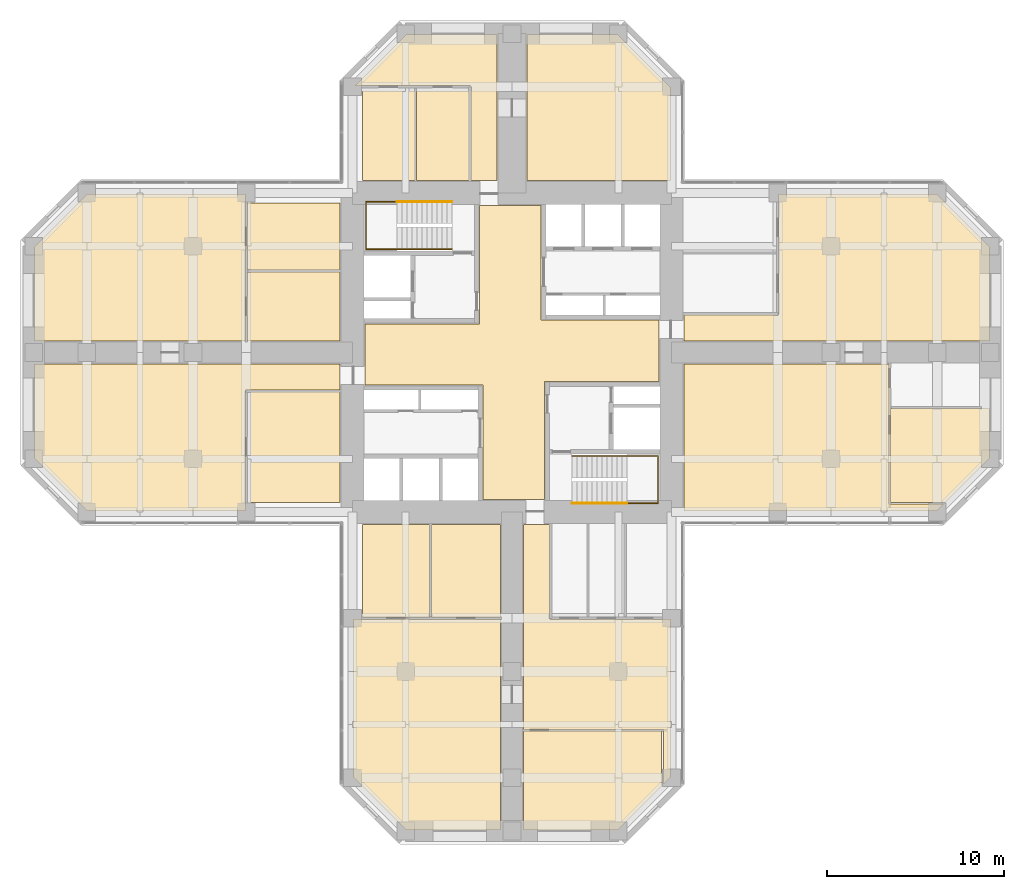
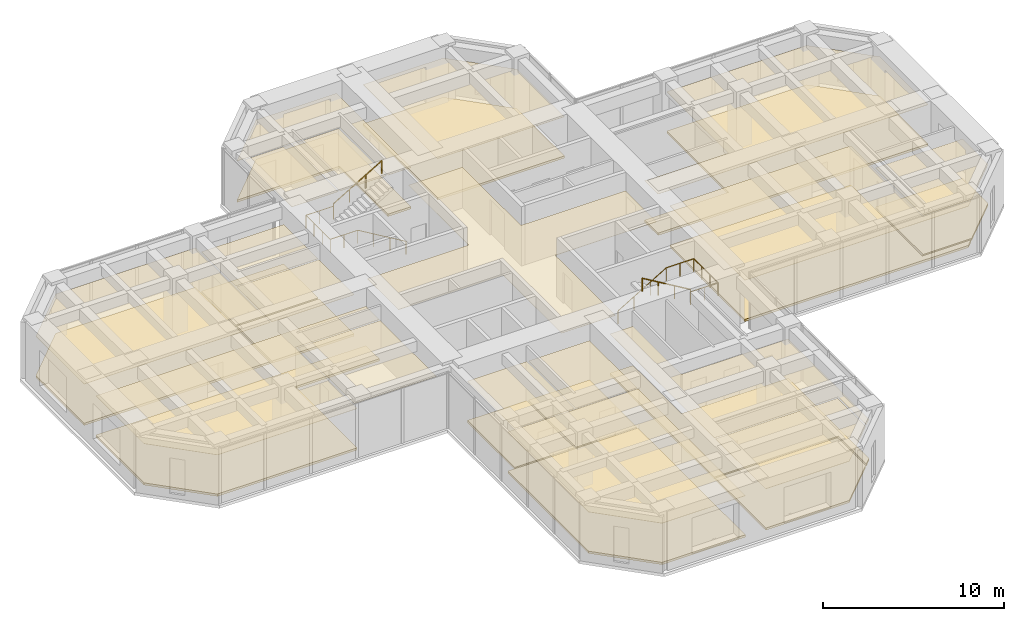
# One storey, part 12 of 12: 32 coverings, 4 railings.
"""IFC4 building model written with IfcOpenShell, lengths in metres."""

from ifc_helpers import new_model, si_unit, direction, frame, origin, origin_2d, place, context, subcontext, project, spatial, polyline, circle, outline, extrude, material, layer, layer_set, constituent, constituent_set, type_object, element, save


model = new_model("IFC4")

# Units and contexts
model_context = context("Model", 3, precision=1e-05, world=origin(), true_north=direction((0.0, 1.0)))
body_context = subcontext(model_context, "Body", "Model", "MODEL_VIEW")
ifc_project = project(units=[si_unit("LENGTHUNIT", "METRE"), si_unit("AREAUNIT", "SQUARE_METRE"), si_unit("VOLUMEUNIT", "CUBIC_METRE"), si_unit("PLANEANGLEUNIT", "RADIAN"), si_unit("MASSUNIT", "GRAM", prefix="KILO")], contexts=[model_context])

# Site, building, storey
site_placement = place(None, origin())
site = spatial("IfcSite", under=ifc_project, at=site_placement, CompositionType="ELEMENT")
building_placement = place(site_placement, origin())
building = spatial("IfcBuilding", under=site, at=building_placement, Name="Torre Cruceta", CompositionType="ELEMENT")
storey_placement = place(building_placement, frame((0.0, 0.0, 116.5)))
storey = spatial("IfcBuildingStorey", under=building, at=storey_placement, Name="L28", CompositionType="ELEMENT", Elevation=116.5)

# Railings
ifc_material_1 = material(Name="Stainless steel 1.4401", Category="steel")
railing_type = type_object("IfcRailingType", Name="HANDRAIL 900", PredefinedType="HANDRAIL", material=ifc_material_1)
railing_1_placement = place(storey_placement, frame((-3.39990234375, 5.8349609375, 0.166748046875)))
element("IfcRailing", 1, at=railing_1_placement, inside=storey, type_object=railing_type, Name="Handrail HR1 ST1 L28", PredefinedType="HANDRAIL", context=body_context, shape_type="SweptSolid", body=[
    extrude(circle(Radius=0.02392578125, at=origin_2d()), frame((0.0, 0.0, 0.8759765625), z_axis=(-0.859308565015, 0.0, 0.511457515432), x_axis=(0.0, -1.0, 0.0)), (0.0, 0.0, 1.0), 3.58447265625),
    extrude(circle(Radius=0.02392578125, at=origin_2d()), frame((-3.080078125, 0.0, 2.708984375), z_axis=(-1.0, 0.0, 0.0), x_axis=(0.0, -1.0, 0.0)), (0.0, 0.0, 1.0), 1.760009765625),
    extrude(circle(Radius=0.02392578125, at=origin_2d()), frame((-4.840087890625, 0.0, 2.708984375), z_axis=(0.0, 1.0, 0.0), x_axis=(-1.0, 0.0, 0.0)), (0.0, 0.0, 1.0), 2.679931640625),
    extrude(circle(Radius=0.02392578125, at=origin_2d()), frame((-4.840087890625, 2.679931640625, 2.708984375), z_axis=(1.0, 0.0, 0.0), x_axis=(0.0, 1.0, 0.0)), (0.0, 0.0, 1.0), 1.760009765625),
    extrude(circle(Radius=0.02099609375, at=origin_2d()), origin(), (0.0, 0.0, 1.0), 0.851806640625),
    extrude(circle(Radius=0.02099609375, at=origin_2d()), frame((-1.026611328125, 0.0, 0.611083984375)), (0.0, 0.0, 1.0), 0.851806640625),
    extrude(circle(Radius=0.02099609375, at=origin_2d()), frame((-2.053466796875, 0.0, 1.22216796875)), (0.0, 0.0, 1.0), 0.851806640625),
    extrude(circle(Radius=0.02099609375, at=origin_2d()), frame((-3.080078125, 0.0, 1.833251953125)), (0.0, 0.0, 1.0), 0.851806640625),
    extrude(circle(Radius=0.02099609375, at=origin_2d()), frame((-3.9599609375, 0.0, 1.833251953125)), (0.0, 0.0, 1.0), 0.851806640625),
    extrude(circle(Radius=0.02099609375, at=origin_2d()), frame((-4.840087890625, 0.0, 1.833251953125)), (0.0, 0.0, 1.0), 0.851806640625),
    extrude(circle(Radius=0.02099609375, at=origin_2d()), frame((-4.840087890625, 0.893310546875, 1.833251953125)), (0.0, 0.0, 1.0), 0.851806640625),
    extrude(circle(Radius=0.02099609375, at=origin_2d()), frame((-4.840087890625, 1.78662109375, 1.833251953125)), (0.0, 0.0, 1.0), 0.851806640625),
    extrude(circle(Radius=0.02099609375, at=origin_2d()), frame((-4.840087890625, 2.679931640625, 1.833251953125)), (0.0, 0.0, 1.0), 0.851806640625),
    extrude(circle(Radius=0.02099609375, at=origin_2d()), frame((-3.9599609375, 2.679931640625, 1.833251953125)), (0.0, 0.0, 1.0), 0.851806640625),
    extrude(circle(Radius=0.02099609375, at=origin_2d()), frame((-3.080078125, 2.679931640625, 1.833251953125)), (0.0, 0.0, 1.0), 0.851806640625),
])
railing_2_placement = place(storey_placement, frame((-6.47998046875, 8.514892578125, 2.166748046875)))
element("IfcRailing", 2, at=railing_2_placement, inside=storey, type_object=railing_type, Name="Handrail HR1 ST1 L28", PredefinedType="HANDRAIL", context=body_context, shape_type="SweptSolid", body=[
    extrude(circle(Radius=0.02392578125, at=origin_2d()), frame((0.0, 0.0, 0.8759765625), z_axis=(0.859308565015, 0.0, 0.511457515432), x_axis=(0.0, 1.0, 0.0)), (0.0, 0.0, 1.0), 3.58447265625),
    extrude(circle(Radius=0.02099609375, at=origin_2d()), origin(), (0.0, 0.0, 1.0), 0.851806640625),
    extrude(circle(Radius=0.02099609375, at=origin_2d()), frame((1.026611328125, 0.0, 0.611083984375)), (0.0, 0.0, 1.0), 0.851806640625),
    extrude(circle(Radius=0.02099609375, at=origin_2d()), frame((2.053466796875, 0.0, 1.22216796875)), (0.0, 0.0, 1.0), 0.851806640625),
    extrude(circle(Radius=0.02099609375, at=origin_2d()), frame((3.080078125, 0.0, 1.833251953125)), (0.0, 0.0, 1.0), 0.851806640625),
])
railing_3_placement = place(storey_placement, frame((3.39990234375, -5.8349609375, 0.166748046875)))
element("IfcRailing", 3, at=railing_3_placement, inside=storey, type_object=railing_type, Name="Handrail HR1 ST2 L28", PredefinedType="HANDRAIL", context=body_context, shape_type="SweptSolid", body=[
    extrude(circle(Radius=0.02392578125, at=origin_2d()), frame((0.0, 0.0, 0.8759765625), z_axis=(0.859308565015, 0.0, 0.511457515432), x_axis=(0.0, 1.0, 0.0)), (0.0, 0.0, 1.0), 3.58447265625),
    extrude(circle(Radius=0.02392578125, at=origin_2d()), frame((3.080078125, 0.0, 2.708984375), z_axis=(1.0, 0.0, 0.0), x_axis=(0.0, 1.0, 0.0)), (0.0, 0.0, 1.0), 1.760009765625),
    extrude(circle(Radius=0.02392578125, at=origin_2d()), frame((4.840087890625, 0.0, 2.708984375), z_axis=(0.0, -1.0, 0.0), x_axis=(1.0, 0.0, 0.0)), (0.0, 0.0, 1.0), 2.679931640625),
    extrude(circle(Radius=0.02392578125, at=origin_2d()), frame((4.840087890625, -2.679931640625, 2.708984375), z_axis=(-1.0, 0.0, 0.0), x_axis=(0.0, -1.0, 0.0)), (0.0, 0.0, 1.0), 1.760009765625),
    extrude(circle(Radius=0.02099609375, at=origin_2d()), origin(), (0.0, 0.0, 1.0), 0.851806640625),
    extrude(circle(Radius=0.02099609375, at=origin_2d()), frame((1.026611328125, 0.0, 0.611083984375)), (0.0, 0.0, 1.0), 0.851806640625),
    extrude(circle(Radius=0.02099609375, at=origin_2d()), frame((2.053466796875, 0.0, 1.22216796875)), (0.0, 0.0, 1.0), 0.851806640625),
    extrude(circle(Radius=0.02099609375, at=origin_2d()), frame((3.080078125, 0.0, 1.833251953125)), (0.0, 0.0, 1.0), 0.851806640625),
    extrude(circle(Radius=0.02099609375, at=origin_2d()), frame((3.9599609375, 0.0, 1.833251953125)), (0.0, 0.0, 1.0), 0.851806640625),
    extrude(circle(Radius=0.02099609375, at=origin_2d()), frame((4.840087890625, 0.0, 1.833251953125)), (0.0, 0.0, 1.0), 0.851806640625),
    extrude(circle(Radius=0.02099609375, at=origin_2d()), frame((4.840087890625, -0.893310546875, 1.833251953125)), (0.0, 0.0, 1.0), 0.851806640625),
    extrude(circle(Radius=0.02099609375, at=origin_2d()), frame((4.840087890625, -1.78662109375, 1.833251953125)), (0.0, 0.0, 1.0), 0.851806640625),
    extrude(circle(Radius=0.02099609375, at=origin_2d()), frame((4.840087890625, -2.679931640625, 1.833251953125)), (0.0, 0.0, 1.0), 0.851806640625),
    extrude(circle(Radius=0.02099609375, at=origin_2d()), frame((3.9599609375, -2.679931640625, 1.833251953125)), (0.0, 0.0, 1.0), 0.851806640625),
    extrude(circle(Radius=0.02099609375, at=origin_2d()), frame((3.080078125, -2.679931640625, 1.833251953125)), (0.0, 0.0, 1.0), 0.851806640625),
])
railing_4_placement = place(storey_placement, frame((6.47998046875, -8.514892578125, 2.166748046875)))
element("IfcRailing", 4, at=railing_4_placement, inside=storey, type_object=railing_type, Name="Handrail HR1 ST2 L28", PredefinedType="HANDRAIL", context=body_context, shape_type="SweptSolid", body=[
    extrude(circle(Radius=0.02392578125, at=origin_2d()), frame((0.0, 0.0, 0.8759765625), z_axis=(-0.859308565015, 0.0, 0.511457515432), x_axis=(0.0, -1.0, 0.0)), (0.0, 0.0, 1.0), 3.58447265625),
    extrude(circle(Radius=0.02099609375, at=origin_2d()), origin(), (0.0, 0.0, 1.0), 0.851806640625),
    extrude(circle(Radius=0.02099609375, at=origin_2d()), frame((-1.026611328125, 0.0, 0.611083984375)), (0.0, 0.0, 1.0), 0.851806640625),
    extrude(circle(Radius=0.02099609375, at=origin_2d()), frame((-2.053466796875, 0.0, 1.22216796875)), (0.0, 0.0, 1.0), 0.851806640625),
    extrude(circle(Radius=0.02099609375, at=origin_2d()), frame((-3.080078125, 0.0, 1.833251953125)), (0.0, 0.0, 1.0), 0.851806640625),
])

# Coverings
ifc_material_2 = material(Name="Steel DX51D", Category="steel")
ifc_constituent_1 = constituent(ifc_material_2, Name="Panel casing")
ifc_material_3 = material(Name="Calcium sulphate", Category="gypsum")
ifc_constituent_2 = constituent(ifc_material_3, Name="Panel core")
ifc_constituent_set = constituent_set(constituents=[ifc_constituent_1, ifc_constituent_2], Name="Raised access floor panel")
covering_type_1 = type_object("IfcCoveringType", Name="RAISED ACCESS FLOOR 150", PredefinedType="FLOORING", material=ifc_constituent_set)
covering_1_placement = place(storey_placement, origin())
element("IfcCovering", 5, at=covering_1_placement, inside=storey, type_object=covering_type_1, Name="Raised floor L28-024", PredefinedType="FLOORING", context=body_context, shape_type="SweptSolid", body=[
    extrude(outline(polyline([(-0.85009765625, 17.949951171875), (-0.85009765625, 9.699951171875), (-2.324951171875, 9.699951171875), (-2.324951171875, 15.050048828125), (-8.87939453125, 15.050048828125), (-5.979248046875, 17.949951171875), (-0.85009765625, 17.949951171875)])), origin(), (0.0, 0.0, 1.0), 0.14990234375),
])
covering_2_placement = place(storey_placement, origin())
element("IfcCovering", 6, at=covering_2_placement, inside=storey, type_object=covering_type_1, Name="Raised floor L28-025", PredefinedType="FLOORING", context=body_context, shape_type="SweptSolid", body=[
    extrude(outline(polyline([(5.979248046875, 17.949951171875), (8.949951171875, 14.979248046875), (8.949951171875, 9.699951171875), (0.85009765625, 9.699951171875), (0.85009765625, 17.949951171875), (5.979248046875, 17.949951171875)])), origin(), (0.0, 0.0, 1.0), 0.14990234375),
])
covering_3_placement = place(storey_placement, origin())
element("IfcCovering", 7, at=covering_3_placement, inside=storey, type_object=covering_type_1, Name="Raised floor L28-029", PredefinedType="FLOORING", context=body_context, shape_type="SweptSolid", body=[
    extrude(outline(polyline([(24.479248046875, -8.449951171875), (21.3701171875, -8.449951171875), (21.3701171875, -3.16796875), (26.949951171875, -3.16796875), (26.949951171875, -5.979248046875), (24.479248046875, -8.449951171875)])), origin(), (0.0, 0.0, 1.0), 0.14990234375),
])
covering_4_placement = place(storey_placement, origin())
element("IfcCovering", 8, at=covering_4_placement, inside=storey, type_object=covering_type_1, Name="Raised floor L28-030", PredefinedType="FLOORING", context=body_context, shape_type="SweptSolid", body=[
    extrude(outline(polyline([(26.949951171875, 0.64990234375), (9.699951171875, 0.64990234375), (9.699951171875, 2.125), (15.050048828125, 2.125), (15.050048828125, 8.949951171875), (23.979248046875, 8.949951171875), (26.949951171875, 5.979248046875), (26.949951171875, 0.64990234375)])), origin(), (0.0, 0.0, 1.0), 0.14990234375),
])
covering_5_placement = place(storey_placement, origin())
element("IfcCovering", 9, at=covering_5_placement, inside=storey, type_object=covering_type_1, Name="Raised floor L28-031", PredefinedType="FLOORING", context=body_context, shape_type="SweptSolid", body=[
    extrude(outline(polyline([(21.27001953125, -8.550048828125), (24.37939453125, -8.550048828125), (23.979248046875, -8.949951171875), (9.699951171875, -8.949951171875), (9.699951171875, -0.64990234375), (21.27001953125, -0.64990234375), (21.27001953125, -8.550048828125)])), origin(), (0.0, 0.0, 1.0), 0.14990234375),
])
covering_6_placement = place(storey_placement, origin())
element("IfcCovering", 10, at=covering_6_placement, inside=storey, type_object=covering_type_1, Name="Raised floor L28-035", PredefinedType="FLOORING", context=body_context, shape_type="SweptSolid", body=[
    extrude(outline(polyline([(-4.550048828125, -9.699951171875), (-0.64990234375, -9.699951171875), (-0.64990234375, -14.949951171875), (-4.550048828125, -14.949951171875), (-4.550048828125, -9.699951171875)])), origin(), (0.0, 0.0, 1.0), 0.14990234375),
])
covering_7_placement = place(storey_placement, origin())
element("IfcCovering", 11, at=covering_7_placement, inside=storey, type_object=covering_type_1, Name="Raised floor L28-036", PredefinedType="FLOORING", context=body_context, shape_type="SweptSolid", body=[
    extrude(outline(polyline([(-8.449951171875, -9.699951171875), (-4.64990234375, -9.699951171875), (-4.64990234375, -14.949951171875), (-8.449951171875, -14.949951171875), (-8.449951171875, -9.699951171875)])), origin(), (0.0, 0.0, 1.0), 0.14990234375),
])
covering_8_placement = place(storey_placement, origin())
element("IfcCovering", 12, at=covering_8_placement, inside=storey, type_object=covering_type_1, Name="Raised floor L28-037", PredefinedType="FLOORING", context=body_context, shape_type="SweptSolid", body=[
    extrude(outline(polyline([(0.64990234375, -26.949951171875), (0.64990234375, -21.3701171875), (8.449951171875, -21.3701171875), (8.449951171875, -24.479248046875), (5.979248046875, -26.949951171875), (0.64990234375, -26.949951171875)])), origin(), (0.0, 0.0, 1.0), 0.14990234375),
])
covering_9_placement = place(storey_placement, origin())
element("IfcCovering", 13, at=covering_9_placement, inside=storey, type_object=covering_type_1, Name="Raised floor L28-038", PredefinedType="FLOORING", context=body_context, shape_type="SweptSolid", body=[
    extrude(outline(polyline([(2.125, -9.699951171875), (2.125, -15.050048828125), (8.949951171875, -15.050048828125), (8.949951171875, -23.979248046875), (8.550048828125, -24.37939453125), (8.550048828125, -21.27001953125), (0.64990234375, -21.27001953125), (0.64990234375, -9.699951171875), (2.125, -9.699951171875)])), origin(), (0.0, 0.0, 1.0), 0.14990234375),
])
covering_10_placement = place(storey_placement, origin())
element("IfcCovering", 14, at=covering_10_placement, inside=storey, type_object=covering_type_1, Name="Raised floor L28-039", PredefinedType="FLOORING", context=body_context, shape_type="SweptSolid", body=[
    extrude(outline(polyline([(-8.949951171875, -23.979248046875), (-8.949951171875, -15.050048828125), (-0.64990234375, -15.050048828125), (-0.64990234375, -26.949951171875), (-5.979248046875, -26.949951171875), (-8.949951171875, -23.979248046875)])), origin(), (0.0, 0.0, 1.0), 0.14990234375),
])
covering_11_placement = place(storey_placement, origin())
element("IfcCovering", 15, at=covering_11_placement, inside=storey, type_object=covering_type_1, Name="Raised floor L28-041", PredefinedType="FLOORING", context=body_context, shape_type="SweptSolid", body=[
    extrude(outline(polyline([(-9.699951171875, 4.550048828125), (-9.699951171875, 0.64990234375), (-14.949951171875, 0.64990234375), (-14.949951171875, 4.550048828125), (-9.699951171875, 4.550048828125)])), origin(), (0.0, 0.0, 1.0), 0.14990234375),
])
covering_12_placement = place(storey_placement, origin())
element("IfcCovering", 16, at=covering_12_placement, inside=storey, type_object=covering_type_1, Name="Raised floor L28-042", PredefinedType="FLOORING", context=body_context, shape_type="SweptSolid", body=[
    extrude(outline(polyline([(-9.699951171875, 8.449951171875), (-9.699951171875, 4.64990234375), (-14.949951171875, 4.64990234375), (-14.949951171875, 8.449951171875), (-9.699951171875, 8.449951171875)])), origin(), (0.0, 0.0, 1.0), 0.14990234375),
])
covering_13_placement = place(storey_placement, origin())
element("IfcCovering", 17, at=covering_13_placement, inside=storey, type_object=covering_type_1, Name="Raised floor L28-043", PredefinedType="FLOORING", context=body_context, shape_type="SweptSolid", body=[
    extrude(outline(polyline([(-26.949951171875, -0.64990234375), (-9.699951171875, -0.64990234375), (-9.699951171875, -2.125), (-15.050048828125, -2.125), (-15.050048828125, -8.949951171875), (-23.979248046875, -8.949951171875), (-26.949951171875, -5.979248046875), (-26.949951171875, -0.64990234375)])), origin(), (0.0, 0.0, 1.0), 0.14990234375),
])
covering_14_placement = place(storey_placement, origin())
element("IfcCovering", 18, at=covering_14_placement, inside=storey, type_object=covering_type_1, Name="Raised floor L28-044", PredefinedType="FLOORING", context=body_context, shape_type="SweptSolid", body=[
    extrude(outline(polyline([(-26.949951171875, 5.979248046875), (-23.979248046875, 8.949951171875), (-15.050048828125, 8.949951171875), (-15.050048828125, 0.64990234375), (-26.949951171875, 0.64990234375), (-26.949951171875, 5.979248046875)])), origin(), (0.0, 0.0, 1.0), 0.14990234375),
])
ifc_material_4 = material(Name="Mineral fibre ceiling tile", Category="gypsum")
ifc_layer = layer(ifc_material_4, 0.02001953125)
ifc_layer_set = layer_set([ifc_layer], Name="Mineral fibre ceiling tile")
covering_type_2 = type_object("IfcCoveringType", Name="SUSPENDED CEILING 20", PredefinedType="CEILING", material=ifc_layer_set)
covering_15_placement = place(storey_placement, frame((0.0, 0.0, 2.780029296875)))
element("IfcCovering", 19, at=covering_15_placement, inside=storey, type_object=covering_type_2, Name="Ceiling L28-001", PredefinedType="CEILING", context=body_context, shape_type="SweptSolid", body=[
    extrude(outline(polyline([(-1.625, -8.300048828125), (-1.625, -1.824951171875), (-8.300048828125, -1.824951171875), (-8.300048828125, 1.625), (-1.824951171875, 1.625), (-1.824951171875, 8.300048828125), (1.625, 8.300048828125), (1.625, 1.824951171875), (8.300048828125, 1.824951171875), (8.300048828125, -1.625), (1.824951171875, -1.625), (1.824951171875, -8.300048828125), (-1.625, -8.300048828125)])), origin(), (0.0, 0.0, 1.0), 0.02001953125),
])
covering_16_placement = place(storey_placement, frame((0.0, 0.0, 2.780029296875)))
element("IfcCovering", 20, at=covering_16_placement, inside=storey, type_object=covering_type_2, Name="Ceiling L28-022", PredefinedType="CEILING", context=body_context, shape_type="SweptSolid", body=[
    extrude(outline(polyline([(-2.425048828125, 9.699951171875), (-5.387451171875, 9.699951171875), (-5.387451171875, 14.949951171875), (-2.425048828125, 14.949951171875), (-2.425048828125, 9.699951171875)])), origin(), (0.0, 0.0, 1.0), 0.02001953125),
])
covering_17_placement = place(storey_placement, frame((0.0, 0.0, 2.780029296875)))
element("IfcCovering", 21, at=covering_17_placement, inside=storey, type_object=covering_type_2, Name="Ceiling L28-023", PredefinedType="CEILING", context=body_context, shape_type="SweptSolid", body=[
    extrude(outline(polyline([(-5.487548828125, 9.699951171875), (-8.449951171875, 9.699951171875), (-8.449951171875, 14.949951171875), (-5.487548828125, 14.949951171875), (-5.487548828125, 9.699951171875)])), origin(), (0.0, 0.0, 1.0), 0.02001953125),
])
covering_18_placement = place(storey_placement, frame((0.0, 0.0, 2.780029296875)))
element("IfcCovering", 22, at=covering_18_placement, inside=storey, type_object=covering_type_2, Name="Ceiling L28-024", PredefinedType="CEILING", context=body_context, shape_type="SweptSolid", body=[
    extrude(outline(polyline([(-0.85009765625, 17.949951171875), (-0.85009765625, 9.699951171875), (-2.324951171875, 9.699951171875), (-2.324951171875, 15.050048828125), (-8.87939453125, 15.050048828125), (-5.979248046875, 17.949951171875), (-0.85009765625, 17.949951171875)])), origin(), (0.0, 0.0, 1.0), 0.02001953125),
])
covering_19_placement = place(storey_placement, frame((0.0, 0.0, 2.780029296875)))
element("IfcCovering", 23, at=covering_19_placement, inside=storey, type_object=covering_type_2, Name="Ceiling L28-025", PredefinedType="CEILING", context=body_context, shape_type="SweptSolid", body=[
    extrude(outline(polyline([(5.979248046875, 17.949951171875), (8.949951171875, 14.979248046875), (8.949951171875, 9.699951171875), (0.85009765625, 9.699951171875), (0.85009765625, 17.949951171875), (5.979248046875, 17.949951171875)])), origin(), (0.0, 0.0, 1.0), 0.02001953125),
])
covering_20_placement = place(storey_placement, frame((0.0, 0.0, 2.780029296875)))
element("IfcCovering", 24, at=covering_20_placement, inside=storey, type_object=covering_type_2, Name="Ceiling L28-029", PredefinedType="CEILING", context=body_context, shape_type="SweptSolid", body=[
    extrude(outline(polyline([(24.479248046875, -8.449951171875), (21.3701171875, -8.449951171875), (21.3701171875, -3.16796875), (26.949951171875, -3.16796875), (26.949951171875, -5.979248046875), (24.479248046875, -8.449951171875)])), origin(), (0.0, 0.0, 1.0), 0.02001953125),
])
covering_21_placement = place(storey_placement, frame((0.0, 0.0, 2.780029296875)))
element("IfcCovering", 25, at=covering_21_placement, inside=storey, type_object=covering_type_2, Name="Ceiling L28-030", PredefinedType="CEILING", context=body_context, shape_type="SweptSolid", body=[
    extrude(outline(polyline([(26.949951171875, 0.64990234375), (9.699951171875, 0.64990234375), (9.699951171875, 2.125), (15.050048828125, 2.125), (15.050048828125, 8.949951171875), (23.979248046875, 8.949951171875), (26.949951171875, 5.979248046875), (26.949951171875, 0.64990234375)])), origin(), (0.0, 0.0, 1.0), 0.02001953125),
])
covering_22_placement = place(storey_placement, frame((0.0, 0.0, 2.780029296875)))
element("IfcCovering", 26, at=covering_22_placement, inside=storey, type_object=covering_type_2, Name="Ceiling L28-031", PredefinedType="CEILING", context=body_context, shape_type="SweptSolid", body=[
    extrude(outline(polyline([(21.27001953125, -8.550048828125), (24.37939453125, -8.550048828125), (23.979248046875, -8.949951171875), (9.699951171875, -8.949951171875), (9.699951171875, -0.64990234375), (21.27001953125, -0.64990234375), (21.27001953125, -8.550048828125)])), origin(), (0.0, 0.0, 1.0), 0.02001953125),
])
covering_23_placement = place(storey_placement, frame((0.0, 0.0, 2.780029296875)))
element("IfcCovering", 27, at=covering_23_placement, inside=storey, type_object=covering_type_2, Name="Ceiling L28-035", PredefinedType="CEILING", context=body_context, shape_type="SweptSolid", body=[
    extrude(outline(polyline([(-4.550048828125, -9.699951171875), (-0.64990234375, -9.699951171875), (-0.64990234375, -14.949951171875), (-4.550048828125, -14.949951171875), (-4.550048828125, -9.699951171875)])), origin(), (0.0, 0.0, 1.0), 0.02001953125),
])
covering_24_placement = place(storey_placement, frame((0.0, 0.0, 2.780029296875)))
element("IfcCovering", 28, at=covering_24_placement, inside=storey, type_object=covering_type_2, Name="Ceiling L28-036", PredefinedType="CEILING", context=body_context, shape_type="SweptSolid", body=[
    extrude(outline(polyline([(-8.449951171875, -9.699951171875), (-4.64990234375, -9.699951171875), (-4.64990234375, -14.949951171875), (-8.449951171875, -14.949951171875), (-8.449951171875, -9.699951171875)])), origin(), (0.0, 0.0, 1.0), 0.02001953125),
])
covering_25_placement = place(storey_placement, frame((0.0, 0.0, 2.780029296875)))
element("IfcCovering", 29, at=covering_25_placement, inside=storey, type_object=covering_type_2, Name="Ceiling L28-037", PredefinedType="CEILING", context=body_context, shape_type="SweptSolid", body=[
    extrude(outline(polyline([(0.64990234375, -26.949951171875), (0.64990234375, -21.3701171875), (8.449951171875, -21.3701171875), (8.449951171875, -24.479248046875), (5.979248046875, -26.949951171875), (0.64990234375, -26.949951171875)])), origin(), (0.0, 0.0, 1.0), 0.02001953125),
])
covering_26_placement = place(storey_placement, frame((0.0, 0.0, 2.780029296875)))
element("IfcCovering", 30, at=covering_26_placement, inside=storey, type_object=covering_type_2, Name="Ceiling L28-038", PredefinedType="CEILING", context=body_context, shape_type="SweptSolid", body=[
    extrude(outline(polyline([(2.125, -9.699951171875), (2.125, -15.050048828125), (8.949951171875, -15.050048828125), (8.949951171875, -23.979248046875), (8.550048828125, -24.37939453125), (8.550048828125, -21.27001953125), (0.64990234375, -21.27001953125), (0.64990234375, -9.699951171875), (2.125, -9.699951171875)])), origin(), (0.0, 0.0, 1.0), 0.02001953125),
])
covering_27_placement = place(storey_placement, frame((0.0, 0.0, 2.780029296875)))
element("IfcCovering", 31, at=covering_27_placement, inside=storey, type_object=covering_type_2, Name="Ceiling L28-039", PredefinedType="CEILING", context=body_context, shape_type="SweptSolid", body=[
    extrude(outline(polyline([(-8.949951171875, -23.979248046875), (-8.949951171875, -15.050048828125), (-0.64990234375, -15.050048828125), (-0.64990234375, -26.949951171875), (-5.979248046875, -26.949951171875), (-8.949951171875, -23.979248046875)])), origin(), (0.0, 0.0, 1.0), 0.02001953125),
])
covering_28_placement = place(storey_placement, frame((0.0, 0.0, 2.780029296875)))
element("IfcCovering", 32, at=covering_28_placement, inside=storey, type_object=covering_type_2, Name="Ceiling L28-040", PredefinedType="CEILING", context=body_context, shape_type="SweptSolid", body=[
    extrude(outline(polyline([(-9.699951171875, -2.22509765625), (-9.699951171875, -8.449951171875), (-14.949951171875, -8.449951171875), (-14.949951171875, -2.22509765625), (-9.699951171875, -2.22509765625)])), origin(), (0.0, 0.0, 1.0), 0.02001953125),
])
covering_29_placement = place(storey_placement, frame((0.0, 0.0, 2.780029296875)))
element("IfcCovering", 33, at=covering_29_placement, inside=storey, type_object=covering_type_2, Name="Ceiling L28-041", PredefinedType="CEILING", context=body_context, shape_type="SweptSolid", body=[
    extrude(outline(polyline([(-9.699951171875, 4.550048828125), (-9.699951171875, 0.64990234375), (-14.949951171875, 0.64990234375), (-14.949951171875, 4.550048828125), (-9.699951171875, 4.550048828125)])), origin(), (0.0, 0.0, 1.0), 0.02001953125),
])
covering_30_placement = place(storey_placement, frame((0.0, 0.0, 2.780029296875)))
element("IfcCovering", 34, at=covering_30_placement, inside=storey, type_object=covering_type_2, Name="Ceiling L28-042", PredefinedType="CEILING", context=body_context, shape_type="SweptSolid", body=[
    extrude(outline(polyline([(-9.699951171875, 8.449951171875), (-9.699951171875, 4.64990234375), (-14.949951171875, 4.64990234375), (-14.949951171875, 8.449951171875), (-9.699951171875, 8.449951171875)])), origin(), (0.0, 0.0, 1.0), 0.02001953125),
])
covering_31_placement = place(storey_placement, frame((0.0, 0.0, 2.780029296875)))
element("IfcCovering", 35, at=covering_31_placement, inside=storey, type_object=covering_type_2, Name="Ceiling L28-043", PredefinedType="CEILING", context=body_context, shape_type="SweptSolid", body=[
    extrude(outline(polyline([(-26.949951171875, -0.64990234375), (-9.699951171875, -0.64990234375), (-9.699951171875, -2.125), (-15.050048828125, -2.125), (-15.050048828125, -8.949951171875), (-23.979248046875, -8.949951171875), (-26.949951171875, -5.979248046875), (-26.949951171875, -0.64990234375)])), origin(), (0.0, 0.0, 1.0), 0.02001953125),
])
covering_32_placement = place(storey_placement, frame((0.0, 0.0, 2.780029296875)))
element("IfcCovering", 36, at=covering_32_placement, inside=storey, type_object=covering_type_2, Name="Ceiling L28-044", PredefinedType="CEILING", context=body_context, shape_type="SweptSolid", body=[
    extrude(outline(polyline([(-26.949951171875, 5.979248046875), (-23.979248046875, 8.949951171875), (-15.050048828125, 8.949951171875), (-15.050048828125, 0.64990234375), (-26.949951171875, 0.64990234375), (-26.949951171875, 5.979248046875)])), origin(), (0.0, 0.0, 1.0), 0.02001953125),
])

save(model, "model.ifc")
